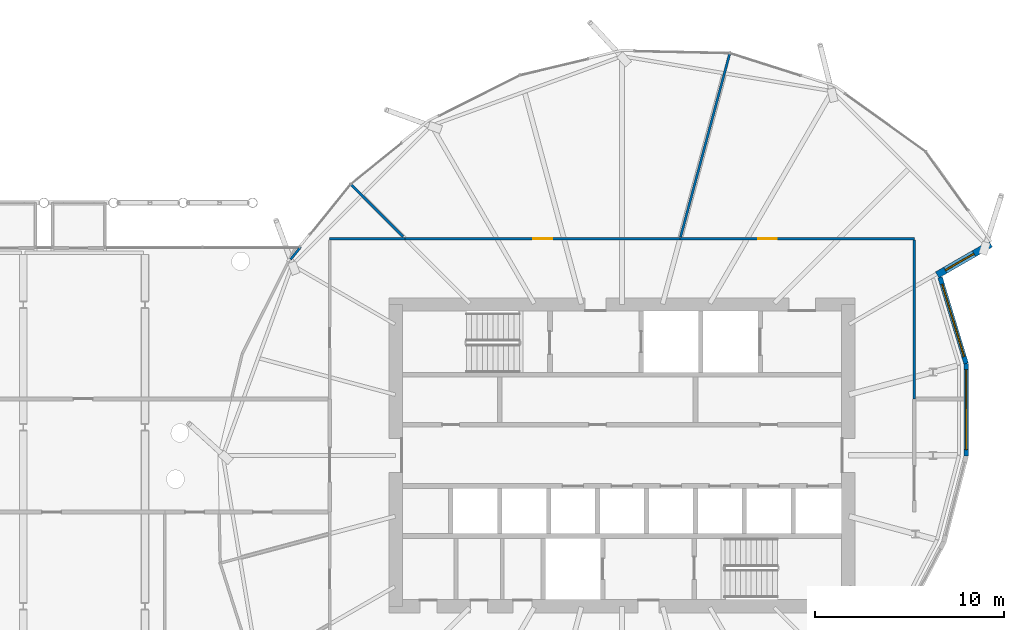
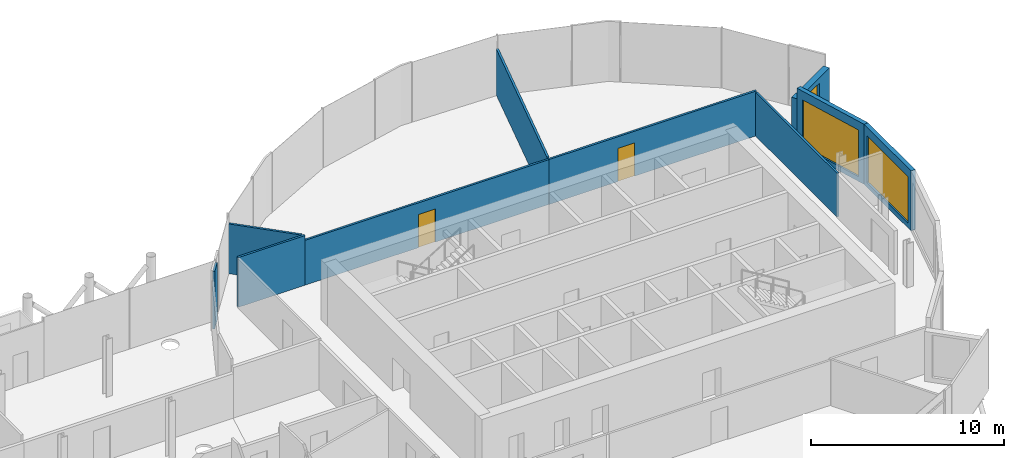
# One storey, part 29 of 39: 10 walls, 3 windows, 2 doors, 5 openings.
"""IFC4 building model written with IfcOpenShell, lengths in metres."""

from ifc_helpers import new_model, si_unit, direction, frame, frame_2d, origin, place, context, subcontext, project, spatial, rectangle, extrude, material, layer, layer_set, type_object, element, fill, save


model = new_model("IFC4")

# Units and contexts
model_context = context("Model", 3, precision=1e-05, world=origin(), true_north=direction((0.0, 1.0)))
body_context = subcontext(model_context, "Body", "Model", "MODEL_VIEW")
ifc_project = project(units=[si_unit("LENGTHUNIT", "METRE"), si_unit("AREAUNIT", "SQUARE_METRE"), si_unit("VOLUMEUNIT", "CUBIC_METRE"), si_unit("PLANEANGLEUNIT", "RADIAN"), si_unit("MASSUNIT", "GRAM", prefix="KILO")], contexts=[model_context])

# Site, building, storey
site_placement = place(None, origin())
site = spatial("IfcSite", under=ifc_project, at=site_placement, CompositionType="ELEMENT")
building_placement = place(site_placement, origin())
building = spatial("IfcBuilding", under=site, at=building_placement, Name="Rimbun Link Towers", CompositionType="ELEMENT")
storey_placement = place(building_placement, frame((0.0, 0.0, 143.0)))
storey = spatial("IfcBuildingStorey", under=building, at=storey_placement, Name="L34", CompositionType="ELEMENT", Elevation=143.0)

# Wall, opening, window
ifc_material_1 = material(Name="Dark enamelled glass spandrel on insulated aluminium backpan", Category="aluminium")
ifc_layer_1 = layer(ifc_material_1, 0.25)
ifc_layer_set_1 = layer_set([ifc_layer_1], Name="CS dark enamelled spandrel wall 250")
wall_type_1 = type_object("IfcWallType", Name="CS dark enamelled spandrel wall 250", PredefinedType="STANDARD", material=ifc_layer_set_1)
wall_1_placement = place(storey_placement, frame((49.998291015625, 4.874755859375, 0.0), z_axis=(0.0, 0.0, 1.0), x_axis=(0.001647361982, -0.999998643098, 0.0)))
wall_1 = element("IfcWall", 1, at=wall_1_placement, inside=storey, type_object=wall_type_1, Name="Crease spandrel wall", PredefinedType="STANDARD", context=body_context, shape_type="SweptSolid", body=[
    extrude(rectangle(XDim=4.890625, YDim=0.25, at=frame_2d((2.4453125, 0.0))), origin(), (0.0, 0.0, 1.0), 3.800048828125),
])
opening_1_placement = place(wall_1_placement, frame((0.3203125, 0.0, 0.300048828125)))
opening_1 = element("IfcOpeningElement", 2, at=opening_1_placement, cuts=wall_1, Name="Opening WR42H295", PredefinedType="OPENING", context=body_context, shape_type="SweptSolid", body=[
    extrude(rectangle(XDim=4.25, YDim=2.949951171875, at=frame_2d((2.125, 1.47509765625))), frame((0.0, 0.135009765625, 0.0), z_axis=(0.0, -1.0, 0.0), x_axis=(1.0, 0.0, 0.0)), (0.0, 0.0, 1.0), 0.27001953125),
])
ifc_material_2 = material(Name="Aluminium framed fixed window, dark tinted low-e glass", Category="aluminium")
window_type_1 = type_object("IfcWindowType", Name="WR ribbon window 4250X2950", PartitioningType="SINGLE_PANEL", PredefinedType="WINDOW", material=ifc_material_2)
window_1_placement = place(opening_1_placement, origin())
window_1 = element("IfcWindow", 3, at=window_1_placement, inside=storey, type_object=window_type_1, Name="Crease ribbon window", OverallHeight=2.949951171875, OverallWidth=4.25, PartitioningType="SINGLE_PANEL", PredefinedType="WINDOW", context=body_context, shape_type="SweptSolid", body=[
    extrude(rectangle(XDim=4.25, YDim=2.949951171875, at=frame_2d((2.125, 1.47509765625))), frame((0.0, 0.030029296875, 0.0), z_axis=(0.0, -1.0, 0.0), x_axis=(1.0, 0.0, 0.0)), (0.0, 0.0, 1.0), 0.06005859375),
])
fill(opening_1, window_1)

wall_2_placement = place(storey_placement, frame((48.616943359375, 9.449462890625, 0.0), z_axis=(0.0, 0.0, 1.0), x_axis=(0.289062898136, -0.957310106977, 0.0)))
wall_2 = element("IfcWall", 4, at=wall_2_placement, inside=storey, type_object=wall_type_1, Name="Crease spandrel wall", PredefinedType="STANDARD", context=body_context, shape_type="SweptSolid", body=[
    extrude(rectangle(XDim=4.77880859375, YDim=0.25, at=frame_2d((2.389404296875, 0.0))), origin(), (0.0, 0.0, 1.0), 3.800048828125),
])
opening_2_placement = place(wall_2_placement, frame((0.389404296875, 0.0, 0.300048828125)))
opening_2 = element("IfcOpeningElement", 5, at=opening_2_placement, cuts=wall_2, Name="Opening WR40H295", PredefinedType="OPENING", context=body_context, shape_type="SweptSolid", body=[
    extrude(rectangle(XDim=4.0, YDim=2.949951171875, at=frame_2d((2.0, 1.47509765625))), frame((0.0, 0.135009765625, 0.0), z_axis=(0.0, -1.0, 0.0), x_axis=(1.0, 0.0, 0.0)), (0.0, 0.0, 1.0), 0.27001953125),
])
ifc_material_3 = material(Name="Aluminium framed fixed window, dark tinted low-e glass", Category="aluminium")
window_type_2 = type_object("IfcWindowType", Name="WR ribbon window 4000X2950", PartitioningType="SINGLE_PANEL", PredefinedType="WINDOW", material=ifc_material_3)
window_2_placement = place(opening_2_placement, origin())
window_2 = element("IfcWindow", 6, at=window_2_placement, inside=storey, type_object=window_type_2, Name="Crease ribbon window", OverallHeight=2.949951171875, OverallWidth=4.0, PartitioningType="SINGLE_PANEL", PredefinedType="WINDOW", context=body_context, shape_type="SweptSolid", body=[
    extrude(rectangle(XDim=4.0, YDim=2.949951171875, at=frame_2d((2.0, 1.47509765625))), frame((0.0, 0.030029296875, 0.0), z_axis=(0.0, -1.0, 0.0), x_axis=(1.0, 0.0, 0.0)), (0.0, 0.0, 1.0), 0.06005859375),
])
fill(opening_2, window_2)

ifc_material_4 = material(Name="Dark enamelled glass spandrel on insulated aluminium backpan", Category="aluminium")
ifc_layer_2 = layer(ifc_material_4, 0.3701171875)
ifc_layer_set_2 = layer_set([ifc_layer_2], Name="CS dark enamelled spandrel wall 370")
wall_type_2 = type_object("IfcWallType", Name="CS dark enamelled spandrel wall 370", PredefinedType="STANDARD", material=ifc_layer_set_2)
wall_3_placement = place(storey_placement, frame((51.304443359375, 11.214599609375, 0.0), z_axis=(0.0, 0.0, 1.0), x_axis=(-0.866040564224, -0.499973740429, 0.0)))
wall_3 = element("IfcWall", 7, at=wall_3_placement, inside=storey, type_object=wall_type_2, Name="Crease spandrel wall", PredefinedType="STANDARD", context=body_context, shape_type="SweptSolid", body=[
    extrude(rectangle(XDim=3.280029296875, YDim=0.3701171875, at=frame_2d((1.64013671875, 0.0))), origin(), (0.0, 0.0, 1.0), 3.076904296875),
])
opening_3_placement = place(wall_3_placement, frame((1.031494140625, 0.0, 0.300048828125)))
opening_3 = element("IfcOpeningElement", 8, at=opening_3_placement, cuts=wall_3, Name="Opening WR18H245", PredefinedType="OPENING", context=body_context, shape_type="SweptSolid", body=[
    extrude(rectangle(XDim=1.75, YDim=2.449951171875, at=frame_2d((0.875, 1.22509765625))), frame((0.0, 0.195068359375, 0.0), z_axis=(0.0, -1.0, 0.0), x_axis=(1.0, 0.0, 0.0)), (0.0, 0.0, 1.0), 0.39013671875),
])
ifc_material_5 = material(Name="Aluminium framed fixed window, dark tinted low-e glass", Category="aluminium")
window_type_3 = type_object("IfcWindowType", Name="WR ribbon window 1750X2450", PartitioningType="SINGLE_PANEL", PredefinedType="WINDOW", material=ifc_material_5)
window_3_placement = place(opening_3_placement, origin())
window_3 = element("IfcWindow", 9, at=window_3_placement, inside=storey, type_object=window_type_3, Name="Crease ribbon window", OverallHeight=2.449951171875, OverallWidth=1.75, PartitioningType="SINGLE_PANEL", PredefinedType="WINDOW", context=body_context, shape_type="SweptSolid", body=[
    extrude(rectangle(XDim=1.75, YDim=2.449951171875, at=frame_2d((0.875, 1.22509765625))), frame((0.0, 0.030029296875, 0.0), z_axis=(0.0, -1.0, 0.0), x_axis=(1.0, 0.0, 0.0)), (0.0, 0.0, 1.0), 0.06005859375),
])
fill(opening_3, window_3)

# Wall, opening, door
ifc_material_6 = material(Name="Gypsum board on steel studs", Category="steel")
ifc_layer_3 = layer(ifc_material_6, 0.125)
ifc_layer_set_3 = layer_set([ifc_layer_3], Name="Partition 125 board on studs")
wall_type_3 = type_object("IfcWallType", Name="Partition 125 board on studs", PredefinedType="PARTITIONING", material=ifc_layer_set_3)
wall_4_placement = place(storey_placement, frame((47.25, 11.5, 0.0), z_axis=(0.0, 0.0, 1.0), x_axis=(-1.0, 0.0, 0.0)))
wall_4 = element("IfcWall", 10, at=wall_4_placement, inside=storey, type_object=wall_type_3, Name="TW/PW/L34/044", PredefinedType="PARTITIONING", context=body_context, shape_type="SweptSolid", body=[
    extrude(rectangle(XDim=12.418701171875, YDim=0.125, at=frame_2d((6.20947265625, 0.0))), origin(), (0.0, 0.0, 1.0), 2.837890625),
])
opening_4_placement = place(wall_4_placement, frame((7.287109375, 0.0, 0.0)))
opening_4 = element("IfcOpeningElement", 11, at=opening_4_placement, cuts=wall_4, Name="Opening TW D34.15", PredefinedType="OPENING", context=body_context, shape_type="SweptSolid", body=[
    extrude(rectangle(XDim=1.0, YDim=2.10009765625, at=frame_2d((0.5, 1.050048828125))), frame((0.0, 0.072509765625, 0.0), z_axis=(0.0, -1.0, 0.0), x_axis=(1.0, 0.0, 0.0)), (0.0, 0.0, 1.0), 0.14501953125),
])
ifc_material_7 = material(Name="Timber door set", Category="wood")
door_type = type_object("IfcDoorType", Name="Door single leaf 1000 x 2100", OperationType="NOTDEFINED", PredefinedType="DOOR", material=ifc_material_7)
door_1_placement = place(opening_4_placement, origin())
door_1 = element("IfcDoor", 12, at=door_1_placement, inside=storey, type_object=door_type, Name="TW/DR/L34/015", OperationType="SINGLE_SWING_RIGHT", OverallHeight=2.10009765625, OverallWidth=1.0, PredefinedType="DOOR", context=body_context, shape_type="SweptSolid", body=[
    extrude(rectangle(XDim=1.0, YDim=2.10009765625, at=frame_2d((0.5, 1.050048828125))), frame((0.0, 0.02490234375, 0.0), z_axis=(0.0, -1.0, 0.0), x_axis=(1.0, 0.0, 0.0)), (0.0, 0.0, 1.0), 0.050048828125),
])
fill(opening_4, door_1)

# Wall
wall_5_placement = place(storey_placement, frame((47.25, 3.0, 0.0), z_axis=(0.0, 0.0, 1.0), x_axis=(0.0, 1.0, 0.0)))
element("IfcWall", 13, at=wall_5_placement, inside=storey, type_object=wall_type_3, Name="TW/PW/L34/045", PredefinedType="PARTITIONING", context=body_context, shape_type="SweptSolid", body=[
    extrude(rectangle(XDim=8.4375, YDim=0.125, at=frame_2d((4.21875, 0.0))), origin(), (0.0, 0.0, 1.0), 2.759033203125),
])

# Wall, opening, door
wall_6_placement = place(storey_placement, frame((34.831298828125, 11.5, 0.0), z_axis=(0.0, 0.0, 1.0), x_axis=(-1.0, 0.0, 0.0)))
wall_6 = element("IfcWall", 14, at=wall_6_placement, inside=storey, type_object=wall_type_3, Name="TW/PW/L34/046", PredefinedType="PARTITIONING", context=body_context, shape_type="SweptSolid", body=[
    extrude(rectangle(XDim=14.581298828125, YDim=0.125, at=frame_2d((7.29052734375, 0.0))), origin(), (0.0, 0.0, 1.0), 2.837890625),
])
opening_5_placement = place(wall_6_placement, frame((6.791015625, 0.0, 0.0)))
opening_5 = element("IfcOpeningElement", 15, at=opening_5_placement, cuts=wall_6, Name="Opening TW D34.16", PredefinedType="OPENING", context=body_context, shape_type="SweptSolid", body=[
    extrude(rectangle(XDim=1.0, YDim=2.10009765625, at=frame_2d((0.5, 1.050048828125))), frame((0.0, 0.072509765625, 0.0), z_axis=(0.0, -1.0, 0.0), x_axis=(1.0, 0.0, 0.0)), (0.0, 0.0, 1.0), 0.14501953125),
])
door_2_placement = place(opening_5_placement, origin())
door_2 = element("IfcDoor", 16, at=door_2_placement, inside=storey, type_object=door_type, Name="TW/DR/L34/016", OperationType="SINGLE_SWING_LEFT", OverallHeight=2.10009765625, OverallWidth=1.0, PredefinedType="DOOR", context=body_context, shape_type="SweptSolid", body=[
    extrude(rectangle(XDim=1.0, YDim=2.10009765625, at=frame_2d((0.5, 1.050048828125))), frame((0.0, 0.02490234375, 0.0), z_axis=(0.0, -1.0, 0.0), x_axis=(1.0, 0.0, 0.0)), (0.0, 0.0, 1.0), 0.050048828125),
])
fill(opening_5, door_2)

# Walls
wall_7_placement = place(storey_placement, frame((20.25, 11.5, 0.0), z_axis=(0.0, 0.0, 1.0), x_axis=(-1.0, 0.0, 0.0)))
element("IfcWall", 17, at=wall_7_placement, inside=storey, type_object=wall_type_3, Name="TW/PW/L34/048", PredefinedType="PARTITIONING", context=body_context, shape_type="SweptSolid", body=[
    extrude(rectangle(XDim=4.0, YDim=0.125, at=frame_2d((2.0, 0.0))), origin(), (0.0, 0.0, 1.0), 3.14697265625),
])
wall_8_placement = place(storey_placement, frame((37.48095703125, 21.38818359375, 0.0), z_axis=(0.0, 0.0, 1.0), x_axis=(-0.258814591656, -0.965927019575, 0.0)))
element("IfcWall", 18, at=wall_8_placement, inside=storey, type_object=wall_type_3, Name="TW/PW/L34/059", PredefinedType="PARTITIONING", context=body_context, shape_type="SweptSolid", body=[
    extrude(rectangle(XDim=10.155517578125, YDim=0.125, at=frame_2d((5.07763671875, 0.0))), origin(), (0.0, 0.0, 1.0), 2.9169921875),
])
wall_9_placement = place(storey_placement, frame((17.384765625, 14.365234375, 0.0), z_axis=(0.0, 0.0, 1.0), x_axis=(0.707106781187, -0.707106781187, 0.0)))
element("IfcWall", 19, at=wall_9_placement, inside=storey, type_object=wall_type_3, Name="TW/PW/L34/060", PredefinedType="PARTITIONING", context=body_context, shape_type="SweptSolid", body=[
    extrude(rectangle(XDim=3.901123046875, YDim=0.125, at=frame_2d((1.95068359375, 0.0))), origin(), (0.0, 0.0, 1.0), 3.14697265625),
])
wall_10_placement = place(storey_placement, frame((14.7109375, 11.062255859375, 0.0), z_axis=(0.0, 0.0, 1.0), x_axis=(-0.629018324311, -0.777390473109, 0.0)))
element("IfcWall", 20, at=wall_10_placement, inside=storey, type_object=wall_type_3, Name="TW/PW/L34/062", PredefinedType="PARTITIONING", context=body_context, shape_type="SweptSolid", body=[
    extrude(rectangle(XDim=0.85888671875, YDim=0.125, at=frame_2d((0.429443359375, 0.0))), origin(), (0.0, 0.0, 1.0), 3.6201171875),
])

save(model, "model.ifc")
